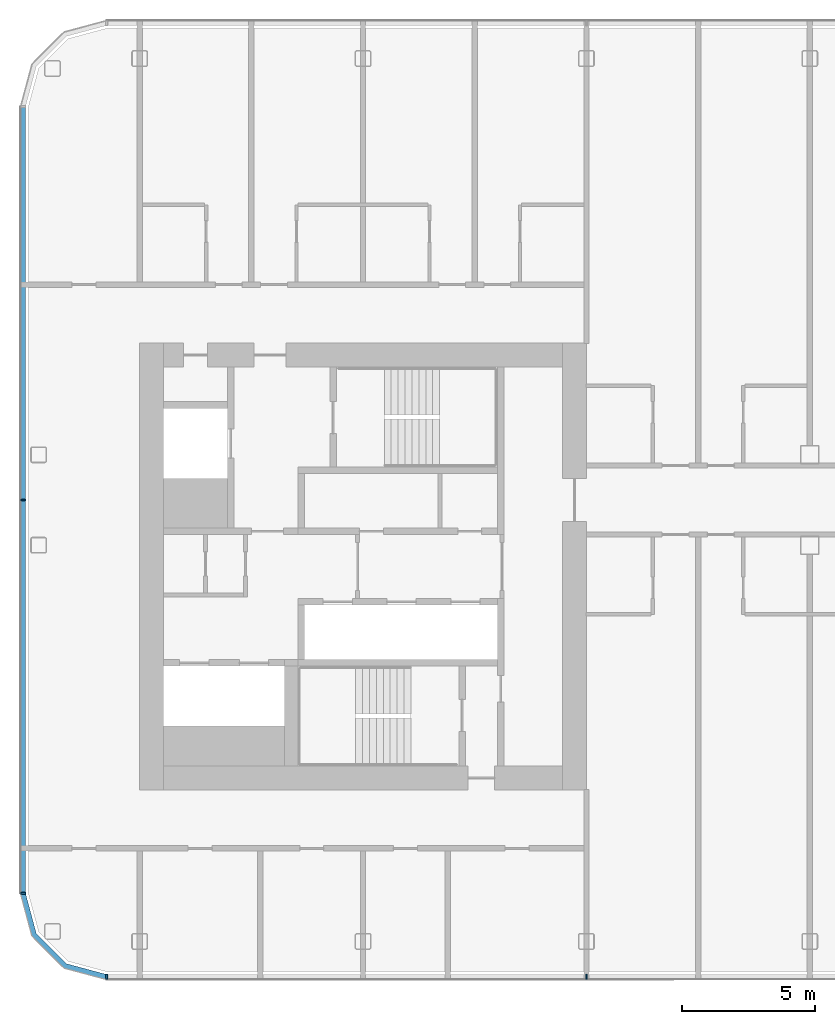
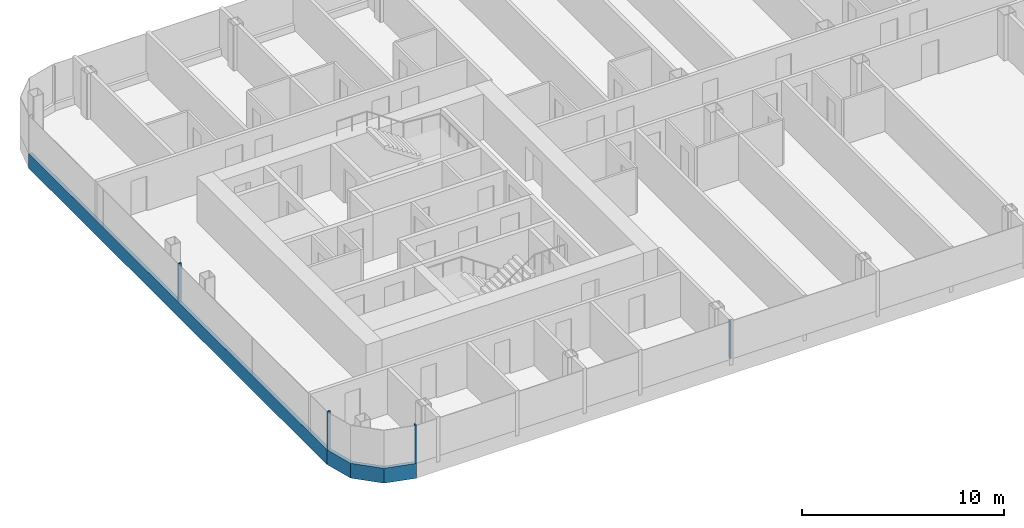
# One storey, part 2 of 26: 6 members, 3 elements without a shape of their own.
"""IFC4 building model written with IfcOpenShell, lengths in metres."""

from ifc_helpers import new_model, si_unit, direction, frame, origin, origin_2d, place, context, subcontext, project, spatial, polyline, rectangle, outline, extrude, material, layer, layer_set, material_profile, profile_set, type_object, element, aggregate, save


model = new_model("IFC4")

# Units and contexts
model_context = context("Model", 3, precision=1e-05, world=origin(), true_north=direction((0.0, 1.0)))
body_context = subcontext(model_context, "Body", "Model", "MODEL_VIEW")
ifc_project = project(units=[si_unit("LENGTHUNIT", "METRE"), si_unit("AREAUNIT", "SQUARE_METRE"), si_unit("VOLUMEUNIT", "CUBIC_METRE"), si_unit("PLANEANGLEUNIT", "RADIAN"), si_unit("MASSUNIT", "GRAM", prefix="KILO")], contexts=[model_context])

# Site, building, storey
site_placement = place(None, origin())
site = spatial("IfcSite", under=ifc_project, at=site_placement, CompositionType="ELEMENT")
building_placement = place(site_placement, origin())
building = spatial("IfcBuilding", under=site, at=building_placement, Name="Hakoniwa Tower and Hamabe Station Hall", CompositionType="ELEMENT")
storey_placement = place(building_placement, frame((0.0, 0.0, 221.800048828125)))
storey = spatial("IfcBuildingStorey", under=building, at=storey_placement, Name="L63", CompositionType="ELEMENT", Elevation=221.800048828125)

# Curtain wall, member
ifc_material_1 = material(Name="Dark low-e laminated glass", Category="glass")
ifc_layer = layer(ifc_material_1, 0.199951171875)
ifc_layer_set = layer_set([ifc_layer], Name="CW-1 UNITISED GUEST")
curtain_wall_type = type_object("IfcCurtainWallType", Name="CW-1 UNITISED GUEST", PredefinedType="NOTDEFINED", material=ifc_layer_set)
curtain_wall_1_placement = place(storey_placement, origin())
curtain_wall_1 = element("IfcCurtainWall", 1, at=curtain_wall_1_placement, inside=storey, type_object=curtain_wall_type, Name="CW-1 curtain wall", PredefinedType="NOTDEFINED")
ifc_material_2 = material(Name="Aluminium 6063-T5 black anodised", Category="aluminium")
ifc_material_profile_1 = material_profile(ifc_material_2, rectangle(XDim=0.199951171875, YDim=0.89990234375, at=origin_2d()), Name="CW SLAB-EDGE BAND 900X200")
ifc_profile_set_1 = profile_set([ifc_material_profile_1], Name="Aluminium 6063-T5 black anodised")
member_type_1 = type_object("IfcMemberType", Name="CW SLAB-EDGE BAND 900X200", PredefinedType="USERDEFINED", material=ifc_profile_set_1)
member_1_placement = place(storey_placement, frame((-38.0, 17.28955078125, -0.10009765625), z_axis=(0.0, -1.0, 0.0), x_axis=(1.0, 0.0, 0.0)))
member_1 = element("IfcMember", 2, at=member_1_placement, type_object=member_type_1, Name="CW-1 transom", ObjectType="TRANSOM", PredefinedType="USERDEFINED", context=body_context, shape_type="SweptSolid", body=[
    extrude(rectangle(XDim=0.199951171875, YDim=0.89990234375, at=origin_2d()), origin(), (0.0, 0.0, 1.0), 29.5791015625),
])

curtain_wall_2_placement = place(storey_placement, origin())
curtain_wall_2 = element("IfcCurtainWall", 3, at=curtain_wall_2_placement, inside=storey, type_object=curtain_wall_type, Name="CW-1 curtain wall", PredefinedType="NOTDEFINED")
member_2_placement = place(storey_placement, frame((0.0, 0.0, -0.550048828125)))
member_2 = element("IfcMember", 4, at=member_2_placement, type_object=member_type_1, Name="CW-1 transom", ObjectType="TRANSOM", PredefinedType="USERDEFINED", context=body_context, shape_type="SweptSolid", body=[
    extrude(outline(polyline([(-38.10009765625, -12.28955078125), (-37.6669921875, -13.9052734375), (-36.455322265625, -15.116943359375), (-34.839599609375, -15.550048828125), (-34.787841796875, -15.35693359375), (-36.351806640625, -14.937744140625), (-37.48779296875, -13.8017578125), (-37.90673828125, -12.23779296875), (-38.10009765625, -12.28955078125)])), origin(), (0.0, 0.0, 1.0), 0.89990234375),
])
aggregate(curtain_wall_2, [member_2])

# Member
ifc_material_3 = material(Name="Aluminium 6063-T5 black anodised", Category="aluminium")
ifc_material_profile_2 = material_profile(ifc_material_3, rectangle(XDim=0.06005859375, YDim=0.179931640625, at=origin_2d()), Name="CW-1 MULLION 60X180")
ifc_profile_set_2 = profile_set([ifc_material_profile_2], Name="Aluminium 6063-T5 black anodised")
member_type_2 = type_object("IfcMemberType", Name="CW-1 MULLION 60X180", PredefinedType="MULLION", material=ifc_profile_set_2)
member_3_placement = place(storey_placement, frame((-37.98193359375, 2.5, 0.349853515625), z_axis=(0.0, 0.0, 1.0), x_axis=(0.0, -1.0, 0.0)))
member_3 = element("IfcMember", 5, at=member_3_placement, type_object=member_type_2, Name="CW-1 mullion", PredefinedType="MULLION", context=body_context, shape_type="SweptSolid", body=[
    extrude(rectangle(XDim=0.06005859375, YDim=0.179931640625, at=origin_2d()), origin(), (0.0, 0.0, 1.0), 2.300048828125),
])

member_4_placement = place(storey_placement, frame((-37.98193359375, -12.28955078125, 0.349853515625), z_axis=(0.0, 0.0, 1.0), x_axis=(0.0, -1.0, 0.0)))
member_4 = element("IfcMember", 6, at=member_4_placement, type_object=member_type_2, Name="CW-1 mullion", PredefinedType="MULLION", context=body_context, shape_type="SweptSolid", body=[
    extrude(rectangle(XDim=0.06005859375, YDim=0.179931640625, at=origin_2d()), origin(), (0.0, 0.0, 1.0), 2.300048828125),
])

aggregate(curtain_wall_1, [member_3, member_4, member_1])

# Curtain wall, members
curtain_wall_3_placement = place(storey_placement, origin())
curtain_wall_3 = element("IfcCurtainWall", 7, at=curtain_wall_3_placement, inside=storey, type_object=curtain_wall_type, Name="CW-1 curtain wall", PredefinedType="NOTDEFINED")
member_5_placement = place(storey_placement, frame((-34.839599609375, -15.431884765625, 0.349853515625), z_axis=(0.0, 0.0, 1.0), x_axis=(1.0, 0.0, 0.0)))
member_5 = element("IfcMember", 8, at=member_5_placement, type_object=member_type_2, Name="CW-1 mullion", PredefinedType="MULLION", context=body_context, shape_type="SweptSolid", body=[
    extrude(rectangle(XDim=0.06005859375, YDim=0.179931640625, at=origin_2d()), origin(), (0.0, 0.0, 1.0), 2.300048828125),
])
member_6_placement = place(storey_placement, frame((-16.800048828125, -15.431884765625, 0.349853515625), z_axis=(0.0, 0.0, 1.0), x_axis=(1.0, 0.0, 0.0)))
member_6 = element("IfcMember", 9, at=member_6_placement, type_object=member_type_2, Name="CW-1 mullion", PredefinedType="MULLION", context=body_context, shape_type="SweptSolid", body=[
    extrude(rectangle(XDim=0.06005859375, YDim=0.179931640625, at=origin_2d()), origin(), (0.0, 0.0, 1.0), 2.300048828125),
])
aggregate(curtain_wall_3, [member_5, member_6])

save(model, "model.ifc")
